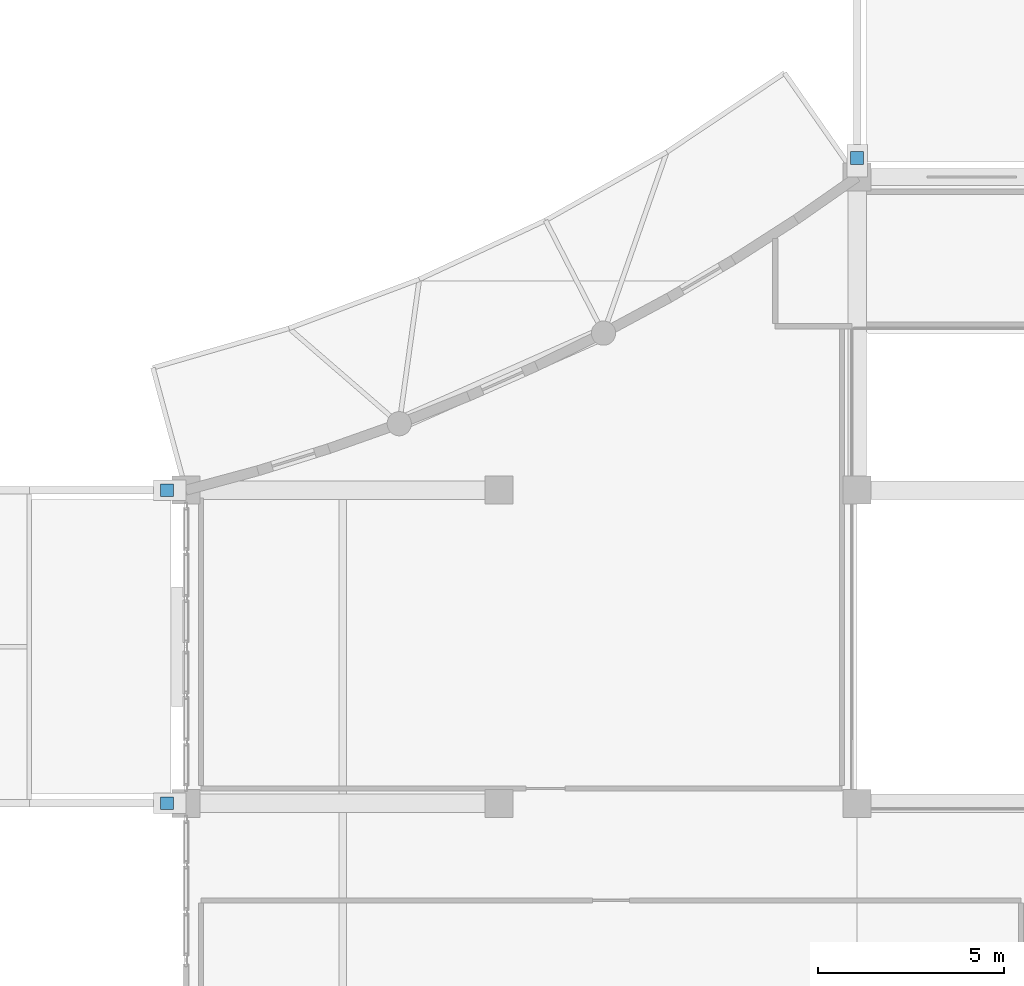
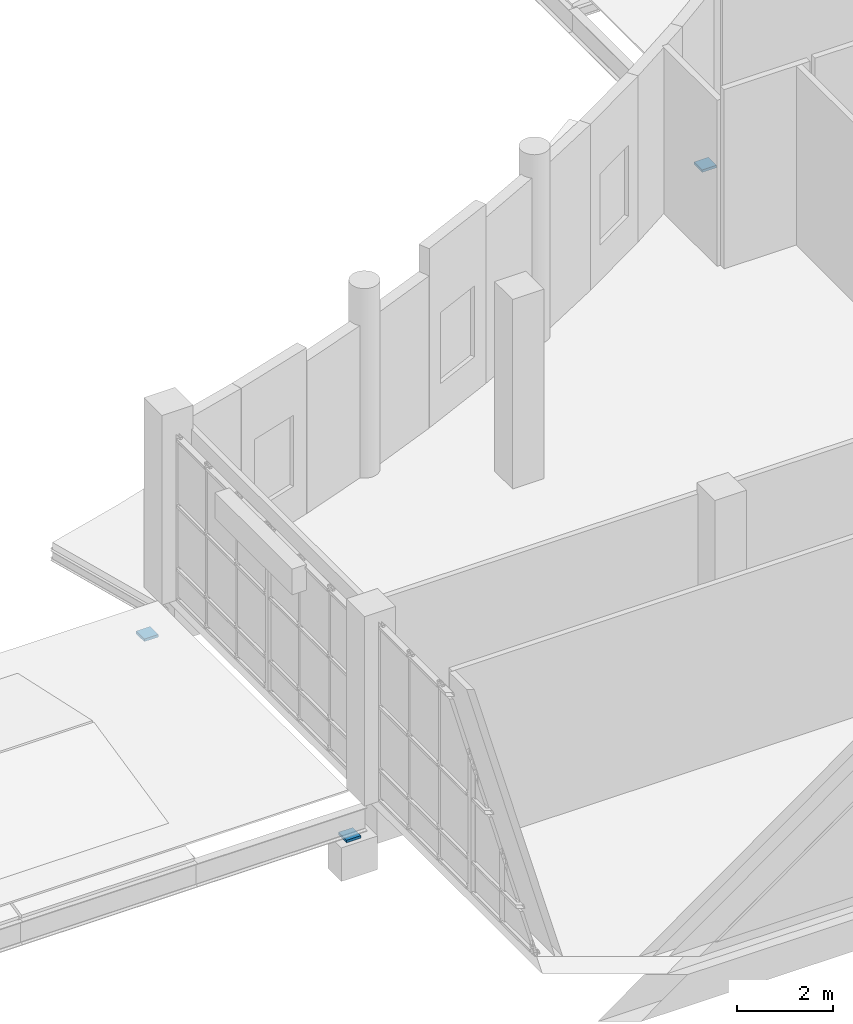
# One storey, part 95 of 106: 3 discrete accessories.
"""IFC4 building model written with IfcOpenShell, lengths in metres."""

from ifc_helpers import new_model, si_unit, direction, frame, origin, origin_2d, place, context, subcontext, project, spatial, rectangle, extrude, material, layer, layer_set, type_object, element, save


model = new_model("IFC4")

# Units and contexts
model_context = context("Model", 3, precision=1e-05, world=origin(), true_north=direction((0.0, 1.0)))
body_context = subcontext(model_context, "Body", "Model", "MODEL_VIEW")
ifc_project = project(units=[si_unit("LENGTHUNIT", "METRE"), si_unit("AREAUNIT", "SQUARE_METRE"), si_unit("VOLUMEUNIT", "CUBIC_METRE"), si_unit("PLANEANGLEUNIT", "RADIAN"), si_unit("MASSUNIT", "GRAM", prefix="KILO")], contexts=[model_context])

# Site, building, storey
site_placement = place(None, origin())
site = spatial("IfcSite", under=ifc_project, at=site_placement, CompositionType="ELEMENT")
building_placement = place(site_placement, origin())
building = spatial("IfcBuilding", under=site, at=building_placement, Name="Kisaragi Civic Commons", CompositionType="ELEMENT")
storey_placement = place(building_placement, frame((0.0, 0.0, 4.800048828125)))
storey = spatial("IfcBuildingStorey", under=building, at=storey_placement, Name="L01", CompositionType="ELEMENT", Elevation=4.800048828125)

# Discrete accessories
ifc_material = material(Name="Steel SN490 (SN490B)", Category="steel")
ifc_layer = layer(ifc_material, 0.06494140625, Name="Steel SN490 (SN490B)", Category="steel")
ifc_layer_set = layer_set([ifc_layer], Name="Steel SN490 (SN490B)")
discrete_accessory_type = type_object("IfcDiscreteAccessoryType", Name="SB-01", PredefinedType="USERDEFINED", material=ifc_layer_set)
for number, where, z_axis, x_axis, name in (
    (1, (123.60009765625, 25.7099609375, -0.945068359375), (0.0, 0.0, 1.0), (1.0, 0.0, 0.0), "PTFE sliding bearing SB-01 15"),
    (2, (105.090087890625, 8.39990234375, -0.945068359375), (0.0, 0.0, 1.0), (1.0, 0.0, 0.0), "PTFE sliding bearing SB-01 19"),
    (3, (105.090087890625, 16.800048828125, -0.945068359375), (0.0, 0.0, 1.0), (1.0, 0.0, 0.0), "PTFE sliding bearing SB-01 20"),
):
    element("IfcDiscreteAccessory", number, at=place(storey_placement, frame(where, z_axis=z_axis, x_axis=x_axis)), inside=storey, type_object=discrete_accessory_type, Name=name, ObjectType="SLIDING BEARING", PredefinedType="USERDEFINED", context=body_context, shape_type="SweptSolid", body=[
        extrude(rectangle(XDim=0.340087890625, YDim=0.340087890625, at=origin_2d()), origin(), (0.0, 0.0, 1.0), 0.06494140625),
    ])

save(model, "model.ifc")
